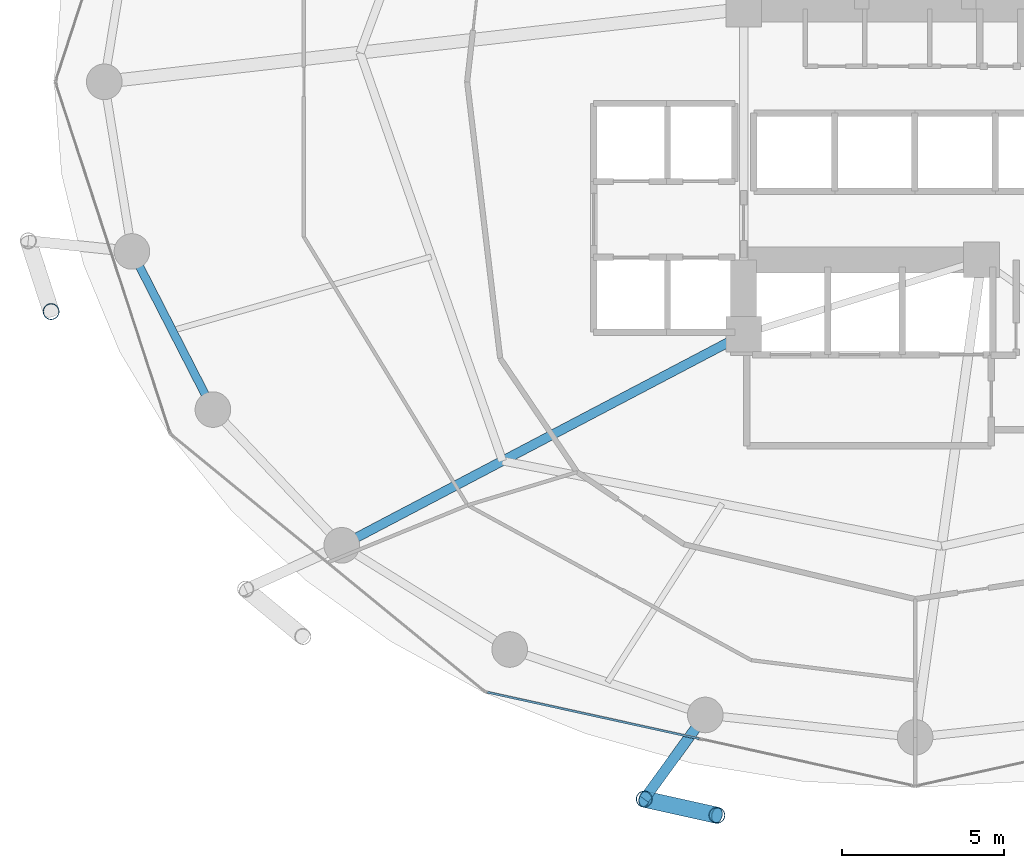
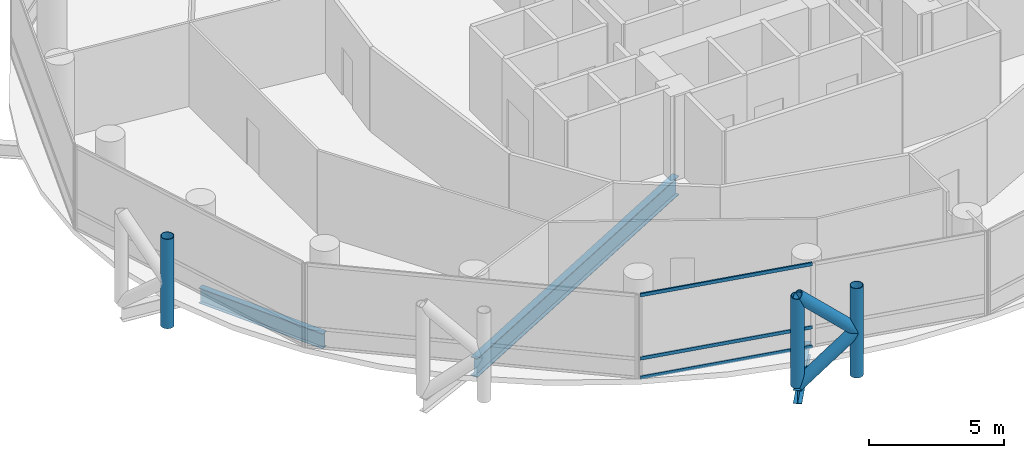
# One storey, part 3 of 25: 8 members, 3 beams, 1 element without a shape of its own.
"""IFC4 building model written with IfcOpenShell, lengths in metres."""

from ifc_helpers import new_model, si_unit, direction, frame, origin, origin_2d, place, context, subcontext, project, spatial, hollow_rectangle, hollow_circle, i_section, extrude, material, layer, layer_set, material_profile, profile_set, type_object, element, aggregate, save


model = new_model("IFC4")

# Units and contexts
model_context = context("Model", 3, precision=1e-05, world=origin(), true_north=direction((0.0, 1.0)))
body_context = subcontext(model_context, "Body", "Model", "MODEL_VIEW")
ifc_project = project(units=[si_unit("LENGTHUNIT", "METRE"), si_unit("AREAUNIT", "SQUARE_METRE"), si_unit("VOLUMEUNIT", "CUBIC_METRE"), si_unit("PLANEANGLEUNIT", "RADIAN"), si_unit("MASSUNIT", "GRAM", prefix="KILO")], contexts=[model_context])

# Site, building, storey
site_placement = place(None, origin())
site = spatial("IfcSite", under=ifc_project, at=site_placement, CompositionType="ELEMENT")
building_placement = place(site_placement, origin())
building = spatial("IfcBuilding", under=site, at=building_placement, Name="Nuhasar Tower", CompositionType="ELEMENT")
storey_placement = place(building_placement, frame((0.0, 0.0, 61.5)))
storey = spatial("IfcBuildingStorey", under=building, at=storey_placement, Name="L14", CompositionType="ELEMENT", Elevation=61.5)

# Beams
ifc_material_1 = material(Name="Steel S355", Category="steel")
ifc_material_profile_1 = material_profile(ifc_material_1, i_section(OverallWidth=0.2919921875, OverallDepth=0.85888671875, WebThickness=0.01708984375, FlangeThickness=0.031005859375, at=origin_2d()), Name="W33X169")
ifc_profile_set_1 = profile_set([ifc_material_profile_1], Name="Steel S355")
beam_type_1 = type_object("IfcBeamType", Name="BM-POD-W33X169", PredefinedType="BEAM", material=ifc_profile_set_1)
beam_1_placement = place(storey_placement, frame((33.699951171875, 19.0, -0.678955078125), z_axis=(-0.885330348705, -0.464962550816, 0.0), x_axis=(0.464962550816, -0.885330348705, 0.0)))
element("IfcBeam", 1, at=beam_1_placement, inside=storey, type_object=beam_type_1, Name="L14 Radial Floor Girder 01", PredefinedType="BEAM", context=body_context, shape_type="SweptSolid", body=[
    extrude(i_section(OverallWidth=0.2919921875, OverallDepth=0.85888671875, WebThickness=0.01708984375, FlangeThickness=0.031005859375, at=origin_2d()), origin(), (0.0, 0.0, 1.0), 14.0205078125),
])
ifc_material_profile_2 = material_profile(ifc_material_1, i_section(OverallWidth=0.256103515625, OverallDepth=0.693115234375, WebThickness=0.014404296875, FlangeThickness=0.023681640625, at=origin_2d()), Name="W27X114")
ifc_profile_set_2 = profile_set([ifc_material_profile_2], Name="Steel S355")
beam_type_2 = type_object("IfcBeamType", Name="BM-RING-W27X114", PredefinedType="SPANDREL", material=ifc_profile_set_2)
beam_2_placement = place(storey_placement, frame((14.803955078125, 21.55908203125, -0.595947265625), z_axis=(0.455930023905, -0.890015625314, 0.0), x_axis=(0.890015625314, 0.455930023905, 0.0)))
element("IfcBeam", 2, at=beam_2_placement, inside=storey, type_object=beam_type_2, Name="L14 Perimeter Ring Spandrel 14", PredefinedType="SPANDREL", context=body_context, shape_type="SweptSolid", body=[
    extrude(i_section(OverallWidth=0.256103515625, OverallDepth=0.693115234375, WebThickness=0.014404296875, FlangeThickness=0.023681640625, at=origin_2d()), origin(), (0.0, 0.0, 1.0), 5.487548828125),
])
ifc_material_profile_3 = material_profile(ifc_material_1, i_section(OverallWidth=0.323974609375, OverallDepth=0.611083984375, WebThickness=0.0126953125, FlangeThickness=0.01904296875, at=origin_2d()), Name="W24X104")
ifc_profile_set_3 = profile_set([ifc_material_profile_3], Name="Steel S355")
beam_type_3 = type_object("IfcBeamType", Name="BM-TIE-W24X104", PredefinedType="BEAM", material=ifc_profile_set_3)
beam_3_placement = place(storey_placement, frame((32.51708984375, 7.239990234375, -0.555908203125), z_axis=(-0.587403316448, -0.809294349311, 0.0), x_axis=(0.809294349311, -0.587403316448, 0.0)))
element("IfcBeam", 3, at=beam_3_placement, inside=storey, type_object=beam_type_3, Name="L14 Exoskeleton Node Tie Beam 09", PredefinedType="BEAM", context=body_context, shape_type="SweptSolid", body=[
    extrude(i_section(OverallWidth=0.323974609375, OverallDepth=0.611083984375, WebThickness=0.0126953125, FlangeThickness=0.01904296875, at=origin_2d()), origin(), (0.0, 0.0, 1.0), 3.212890625),
])

# Curtain wall, members
ifc_material_2 = material(Name="Aluminium 6063-T6", Category="aluminium")
ifc_layer = layer(ifc_material_2, 0.199951171875)
ifc_layer_set = layer_set([ifc_layer], Name="Aluminium 6063-T6")
curtain_wall_type = type_object("IfcCurtainWallType", Name="CW-Z1-OFF", PredefinedType="NOTDEFINED", material=ifc_layer_set)
curtain_wall_placement = place(storey_placement, origin())
curtain_wall = element("IfcCurtainWall", 4, at=curtain_wall_placement, inside=storey, type_object=curtain_wall_type, Name="L14 Unitised Curtain Wall 09", PredefinedType="NOTDEFINED")
ifc_material_profile_4 = material_profile(ifc_material_2, hollow_rectangle(XDim=0.06494140625, YDim=0.14990234375, WallThickness=0.00439453125, at=origin_2d()), Name="CWT-2")
ifc_profile_set_4 = profile_set([ifc_material_profile_4], Name="Aluminium 6063-T6")
member_type_1 = type_object("IfcMemberType", Name="CW-TRN-S2", PredefinedType="USERDEFINED", material=ifc_profile_set_4)
member_1_placement = place(storey_placement, frame((25.783447265625, 7.941162109375, 0.032470703125), z_axis=(0.976741923778, -0.214418316228, 0.0), x_axis=(0.214418316228, 0.976741923778, 0.0)))
member_1 = element("IfcMember", 5, at=member_1_placement, type_object=member_type_1, Name="CW-Z1 transom 1.1", ObjectType="TRANSOM", PredefinedType="USERDEFINED", context=body_context, shape_type="SweptSolid", body=[
    extrude(hollow_rectangle(XDim=0.06494140625, YDim=0.14990234375, WallThickness=0.00439453125, at=origin_2d()), origin(), (0.0, 0.0, 1.0), 6.70068359375),
])
member_2_placement = place(storey_placement, frame((25.783447265625, 7.941162109375, 0.89990234375), z_axis=(0.976741923778, -0.214418316228, 0.0), x_axis=(0.214418316228, 0.976741923778, 0.0)))
member_2 = element("IfcMember", 6, at=member_2_placement, type_object=member_type_1, Name="CW-Z1 transom 1.2", ObjectType="TRANSOM", PredefinedType="USERDEFINED", context=body_context, shape_type="SweptSolid", body=[
    extrude(hollow_rectangle(XDim=0.06494140625, YDim=0.14990234375, WallThickness=0.00439453125, at=origin_2d()), origin(), (0.0, 0.0, 1.0), 6.70068359375),
])
member_3_placement = place(storey_placement, frame((25.783447265625, 7.941162109375, 3.767578125), z_axis=(0.976741923778, -0.214418316228, 0.0), x_axis=(0.214418316228, 0.976741923778, 0.0)))
member_3 = element("IfcMember", 7, at=member_3_placement, type_object=member_type_1, Name="CW-Z1 transom 1.3", ObjectType="TRANSOM", PredefinedType="USERDEFINED", context=body_context, shape_type="SweptSolid", body=[
    extrude(hollow_rectangle(XDim=0.06494140625, YDim=0.14990234375, WallThickness=0.00439453125, at=origin_2d()), origin(), (0.0, 0.0, 1.0), 6.70068359375),
])
aggregate(curtain_wall, [member_1, member_2, member_3])

# Members
ifc_material_3 = material(Name="Steel S460", Category="steel")
ifc_material_profile_5 = material_profile(ifc_material_3, hollow_circle(Radius=0.25390625, WallThickness=0.025390625, at=origin_2d()), Name="HSS508X25.4")
ifc_profile_set_5 = profile_set([ifc_material_profile_5], Name="Steel S460")
member_type_2 = type_object("IfcMemberType", Name="EXO-BRONZE-508", PredefinedType="BRACE", material=ifc_profile_set_5)
for number, where, z_axis, x_axis, name in (
    (8, (12.30810546875, 19.700927734375, 0.0), (0.0, 0.0, 1.0), (1.0, 0.0, 0.0), "L14 Exoskeleton Chord Column EC-07B"),
    (9, (30.6298828125, 4.639892578125, 0.0), (0.0, 0.0, 1.0), (1.0, 0.0, 0.0), "L14 Exoskeleton Chord Column EC-09A"),
    (10, (32.8759765625, 4.14111328125, 0.0), (0.0, 0.0, 1.0), (1.0, 0.0, 0.0), "L14 Exoskeleton Chord Column EC-09B"),
):
    element("IfcMember", number, at=place(storey_placement, frame(where, z_axis=z_axis, x_axis=x_axis)), inside=storey, type_object=member_type_2, Name=name, PredefinedType="BRACE", context=body_context, shape_type="SweptSolid", body=[
        extrude(hollow_circle(Radius=0.25390625, WallThickness=0.025390625, at=origin_2d()), origin(), (0.0, 0.0, 1.0), 4.050048828125),
    ])
member_4_placement = place(storey_placement, frame((30.6298828125, 4.639892578125, 0.0), z_axis=(0.732830973624, -0.162736269469, 0.66066305383), x_axis=(0.216784396973, 0.976219506683, 0.0)))
element("IfcMember", 11, at=member_4_placement, inside=storey, type_object=member_type_2, Name="L14 Bronze Diagrid Brace W1-09", PredefinedType="BRACE", context=body_context, shape_type="SweptSolid", body=[
    extrude(hollow_circle(Radius=0.25390625, WallThickness=0.025390625, at=origin_2d()), origin(), (0.0, 0.0, 1.0), 3.06494140625),
])
member_5_placement = place(storey_placement, frame((32.8759765625, 4.14111328125, 2.02490234375), z_axis=(-0.732792408767, 0.162727705556, 0.660707938122), x_axis=(-0.216784396973, -0.976219506683, 0.0)))
element("IfcMember", 12, at=member_5_placement, inside=storey, type_object=member_type_2, Name="L14 Bronze Diagrid Brace W2-09", PredefinedType="BRACE", context=body_context, shape_type="SweptSolid", body=[
    extrude(hollow_circle(Radius=0.25390625, WallThickness=0.025390625, at=origin_2d()), origin(), (0.0, 0.0, 1.0), 3.065185546875),
])

save(model, "model.ifc")
